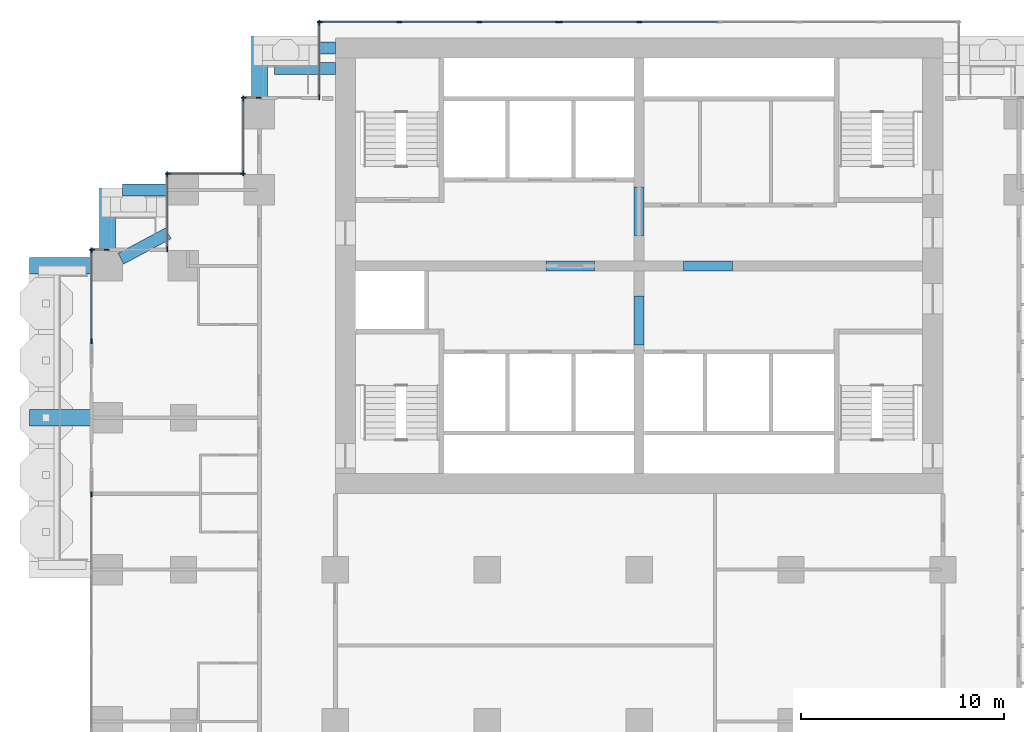
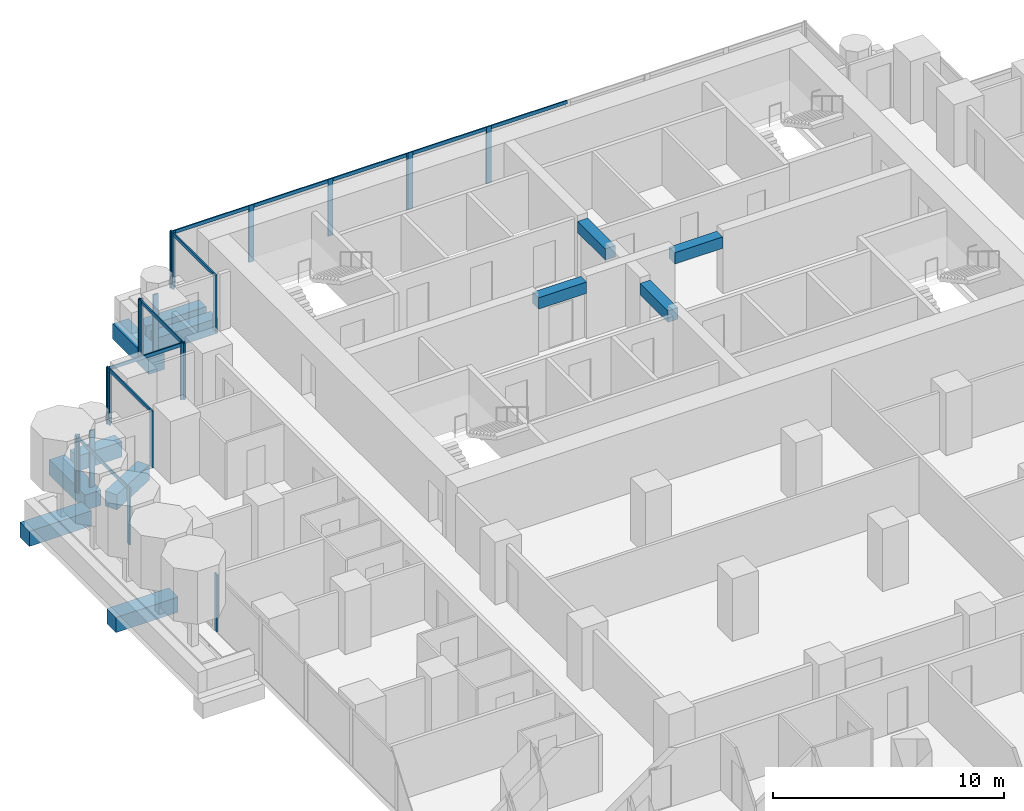
# One storey, part 5 of 18: 31 members, 12 beams, 10 elements without a shape of their own.
"""IFC4 building model written with IfcOpenShell, lengths in metres."""

from ifc_helpers import new_model, si_unit, direction, frame, origin, origin_2d, place, context, subcontext, project, spatial, rectangle, extrude, material, material_profile, profile_set, type_object, element, aggregate, save


model = new_model("IFC4")

# Units and contexts
model_context = context("Model", 3, precision=1e-05, world=origin(), true_north=direction((0.0, 1.0)))
body_context = subcontext(model_context, "Body", "Model", "MODEL_VIEW")
ifc_project = project(units=[si_unit("LENGTHUNIT", "METRE"), si_unit("AREAUNIT", "SQUARE_METRE"), si_unit("VOLUMEUNIT", "CUBIC_METRE"), si_unit("PLANEANGLEUNIT", "RADIAN"), si_unit("MASSUNIT", "GRAM", prefix="KILO")], contexts=[model_context])

# Site, building, storey
site_placement = place(None, origin())
site = spatial("IfcSite", under=ifc_project, at=site_placement, CompositionType="ELEMENT")
building_placement = place(site_placement, origin())
building = spatial("IfcBuilding", under=site, at=building_placement, Name="Pilkhan Gate Tower", CompositionType="ELEMENT")
storey_placement = place(building_placement, frame((0.0, 0.0, 82.39990234375)))
storey = spatial("IfcBuildingStorey", under=building, at=storey_placement, Name="L19", CompositionType="ELEMENT", Elevation=82.39990234375)

# Beams
ifc_material_1 = material(Name="Concrete C50/60", Category="concrete")
ifc_material_profile_1 = material_profile(ifc_material_1, rectangle(XDim=0.60009765625, YDim=0.800048828125, at=origin_2d()), Name="RC 600x800")
ifc_profile_set_1 = profile_set([ifc_material_profile_1], Name="Concrete C50/60")
beam_type_1 = type_object("IfcBeamType", Name="Cantilever beam CB1 RC 600x800 C50/60", PredefinedType="BEAM", material=ifc_profile_set_1)
for number, where, z_axis, x_axis, name in (
    (1, (60.0, 93.25, -0.699951171875), (-1.0, 0.0, 0.0), (0.0, -1.0, 0.0), "Balcony beam NW.2 L19"),
    (2, (60.0, 92.25, -0.699951171875), (-1.0, 0.0, 0.0), (0.0, -1.0, 0.0), "Balcony beam NW.3 L19"),
):
    element("IfcBeam", number, at=place(storey_placement, frame(where, z_axis=z_axis, x_axis=x_axis)), inside=storey, type_object=beam_type_1, Name=name, PredefinedType="BEAM", context=body_context, shape_type="SweptSolid", body=[
        extrude(rectangle(XDim=0.60009765625, YDim=0.800048828125, at=origin_2d()), origin(), (0.0, 0.0, 1.0), 3.0),
    ])
beam_1_placement = place(storey_placement, frame((51.75, 86.25, -0.699951171875), z_axis=(-1.0, 0.0, 0.0), x_axis=(0.0, -1.0, 0.0)))
element("IfcBeam", 3, at=beam_1_placement, inside=storey, type_object=beam_type_1, Name="Balcony beam NW2.2 L19", PredefinedType="BEAM", context=body_context, shape_type="SweptSolid", body=[
    extrude(rectangle(XDim=0.60009765625, YDim=0.800048828125, at=origin_2d()), origin(), (0.0, 0.0, 1.0), 2.25),
])
beam_2_placement = place(storey_placement, frame((49.411865234375, 82.85302734375, -0.699951171875), z_axis=(0.882342739565, 0.470607362817, 0.0), x_axis=(-0.470607362817, 0.882342739565, 0.0)))
element("IfcBeam", 4, at=beam_2_placement, inside=storey, type_object=beam_type_1, Name="Balcony beam NW2.3 L19", PredefinedType="BEAM", context=body_context, shape_type="SweptSolid", body=[
    extrude(rectangle(XDim=0.60009765625, YDim=0.800048828125, at=origin_2d()), origin(), (0.0, 0.0, 1.0), 2.64990234375),
])
ifc_material_profile_2 = material_profile(ifc_material_1, rectangle(XDim=0.800048828125, YDim=0.800048828125, at=origin_2d()), Name="RC 800x800")
ifc_profile_set_2 = profile_set([ifc_material_profile_2], Name="Concrete C50/60")
beam_type_2 = type_object("IfcBeamType", Name="Cantilever beam CB2 RC 800x800 C50/60", PredefinedType="BEAM", material=ifc_profile_set_2)
for number, where, z_axis, x_axis, name in (
    (5, (56.25, 90.75, -0.699951171875), (0.0, 1.0, 0.0), (-1.0, 0.0, 0.0), "Balcony beam NW.1 L19"),
    (6, (48.75, 83.25, -0.699951171875), (0.0, 1.0, 0.0), (-1.0, 0.0, 0.0), "Balcony beam NW2.1 L19"),
    (7, (48.0, 75.0, -0.699951171875), (-1.0, 0.0, 0.0), (0.0, -1.0, 0.0), "Balcony beam W.2 L19"),
    (8, (48.0, 82.5, -0.699951171875), (-1.0, 0.0, 0.0), (0.0, -1.0, 0.0), "Balcony beam W.3 L19"),
):
    element("IfcBeam", number, at=place(storey_placement, frame(where, z_axis=z_axis, x_axis=x_axis)), inside=storey, type_object=beam_type_2, Name=name, PredefinedType="BEAM", context=body_context, shape_type="SweptSolid", body=[
        extrude(rectangle(XDim=0.800048828125, YDim=0.800048828125, at=origin_2d()), origin(), (0.0, 0.0, 1.0), 3.10009765625),
    ])
ifc_material_2 = material(Name="Concrete C70/85", Category="concrete")
ifc_material_profile_3 = material_profile(ifc_material_2, rectangle(XDim=0.5, YDim=0.60009765625, at=origin_2d()), Name="RC 500x600")
ifc_profile_set_3 = profile_set([ifc_material_profile_3], Name="Concrete C70/85")
beam_type_3 = type_object("IfcBeamType", Name="Coupling beam CB60 RC 500x600 C70/85", PredefinedType="LINTEL", material=ifc_profile_set_3)
for number, where, z_axis, x_axis, name in (
    (9, (70.39990234375, 82.5, 2.7001953125), (1.0, 0.0, 0.0), (0.0, 1.0, 0.0), "Coupling beam 1 L19"),
    (10, (77.199951171875, 82.5, 2.7001953125), (1.0, 0.0, 0.0), (0.0, 1.0, 0.0), "Coupling beam 2 L19"),
):
    element("IfcBeam", number, at=place(storey_placement, frame(where, z_axis=z_axis, x_axis=x_axis)), inside=storey, type_object=beam_type_3, Name=name, PredefinedType="LINTEL", context=body_context, shape_type="SweptSolid", body=[
        extrude(rectangle(XDim=0.5, YDim=0.60009765625, at=origin_2d()), origin(), (0.0, 0.0, 1.0), 2.400146484375),
    ])
for number, where, z_axis, x_axis, name in (
    (11, (75.0, 78.60009765625, 2.7001953125), (0.0, 1.0, 0.0), (-1.0, 0.0, 0.0), "Coupling beam 3 L19"),
    (12, (75.0, 84.0, 2.7001953125), (0.0, 1.0, 0.0), (-1.0, 0.0, 0.0), "Coupling beam 4 L19"),
):
    element("IfcBeam", number, at=place(storey_placement, frame(where, z_axis=z_axis, x_axis=x_axis)), inside=storey, type_object=beam_type_3, Name=name, PredefinedType="LINTEL", context=body_context, shape_type="SweptSolid", body=[
        extrude(rectangle(XDim=0.5, YDim=0.60009765625, at=origin_2d()), origin(), (0.0, 0.0, 1.0), 2.39990234375),
    ])

# Curtain wall, members
ifc_material_3 = material(Name="Pale anodised aluminium, clear low-iron double glazing", Category="aluminium")
curtain_wall_type = type_object("IfcCurtainWallType", Name="Hotel unitised curtain wall CW-H", PredefinedType="USERDEFINED", material=ifc_material_3)
curtain_wall_1_placement = place(storey_placement, origin())
curtain_wall_1 = element("IfcCurtainWall", 13, at=curtain_wall_1_placement, inside=storey, type_object=curtain_wall_type, Name="Hotel unitised curtain wall CW-H L19 N", ObjectType="UNITISED CURTAIN WALL", PredefinedType="USERDEFINED")
ifc_material_4 = material(Name="Pale anodised aluminium", Category="aluminium")
ifc_material_profile_4 = material_profile(ifc_material_4, rectangle(XDim=0.06494140625, YDim=0.25, at=origin_2d()), Name="Mullion 250x65")
ifc_profile_set_4 = profile_set([ifc_material_profile_4], Name="Pale anodised aluminium")
member_type_1 = type_object("IfcMemberType", Name="Mullion CW-H 250x65", PredefinedType="MULLION", material=ifc_profile_set_4)
member_1_placement = place(storey_placement, frame((59.237548828125, 94.544921875, 0.0), z_axis=(0.0, 0.0, 1.0), x_axis=(0.0, 1.0, 0.0)))
member_1 = element("IfcMember", 14, at=member_1_placement, type_object=member_type_1, Name="CW-H mullion 1", PredefinedType="MULLION", context=body_context, shape_type="SweptSolid", body=[
    extrude(rectangle(XDim=0.06494140625, YDim=0.25, at=origin_2d()), origin(), (0.0, 0.0, 1.0), 3.0),
])
member_2_placement = place(storey_placement, frame((63.15380859375, 94.544921875, 0.0), z_axis=(0.0, 0.0, 1.0), x_axis=(0.0, 1.0, 0.0)))
member_2 = element("IfcMember", 15, at=member_2_placement, type_object=member_type_1, Name="CW-H mullion 2", PredefinedType="MULLION", context=body_context, shape_type="SweptSolid", body=[
    extrude(rectangle(XDim=0.06494140625, YDim=0.25, at=origin_2d()), origin(), (0.0, 0.0, 1.0), 3.0),
])
member_3_placement = place(storey_placement, frame((67.1025390625, 94.544921875, 0.0), z_axis=(0.0, 0.0, 1.0), x_axis=(0.0, 1.0, 0.0)))
member_3 = element("IfcMember", 16, at=member_3_placement, type_object=member_type_1, Name="CW-H mullion 3", PredefinedType="MULLION", context=body_context, shape_type="SweptSolid", body=[
    extrude(rectangle(XDim=0.06494140625, YDim=0.25, at=origin_2d()), origin(), (0.0, 0.0, 1.0), 3.0),
])
member_4_placement = place(storey_placement, frame((71.018798828125, 94.544921875, 0.0), z_axis=(0.0, 0.0, 1.0), x_axis=(0.0, 1.0, 0.0)))
member_4 = element("IfcMember", 17, at=member_4_placement, type_object=member_type_1, Name="CW-H mullion 4", PredefinedType="MULLION", context=body_context, shape_type="SweptSolid", body=[
    extrude(rectangle(XDim=0.06494140625, YDim=0.25, at=origin_2d()), origin(), (0.0, 0.0, 1.0), 3.0),
])

curtain_wall_2_placement = place(storey_placement, origin())
curtain_wall_2 = element("IfcCurtainWall", 18, at=curtain_wall_2_placement, inside=storey, type_object=curtain_wall_type, Name="Hotel unitised curtain wall CW-H L19 N", ObjectType="UNITISED CURTAIN WALL", PredefinedType="USERDEFINED")
member_5_placement = place(storey_placement, frame((71.083740234375, 94.544921875, 0.0), z_axis=(0.0, 0.0, 1.0), x_axis=(0.0, 1.0, 0.0)))
member_5 = element("IfcMember", 19, at=member_5_placement, type_object=member_type_1, Name="CW-H mullion 1", PredefinedType="MULLION", context=body_context, shape_type="SweptSolid", body=[
    extrude(rectangle(XDim=0.06494140625, YDim=0.25, at=origin_2d()), origin(), (0.0, 0.0, 1.0), 3.0),
])
member_6_placement = place(storey_placement, frame((75.0, 94.544921875, 0.0), z_axis=(0.0, 0.0, 1.0), x_axis=(0.0, 1.0, 0.0)))
member_6 = element("IfcMember", 20, at=member_6_placement, type_object=member_type_1, Name="CW-H mullion 2", PredefinedType="MULLION", context=body_context, shape_type="SweptSolid", body=[
    extrude(rectangle(XDim=0.06494140625, YDim=0.25, at=origin_2d()), origin(), (0.0, 0.0, 1.0), 3.0),
])

curtain_wall_3_placement = place(storey_placement, origin())
curtain_wall_3 = element("IfcCurtainWall", 21, at=curtain_wall_3_placement, inside=storey, type_object=curtain_wall_type, Name="Hotel unitised curtain wall CW-H L19 W", ObjectType="UNITISED CURTAIN WALL", PredefinedType="USERDEFINED")
member_7_placement = place(storey_placement, frame((59.205078125, 90.827392578125, 0.0), z_axis=(0.0, 0.0, 1.0), x_axis=(-1.0, 0.0, 0.0)))
member_7 = element("IfcMember", 22, at=member_7_placement, type_object=member_type_1, Name="CW-H mullion 1", PredefinedType="MULLION", context=body_context, shape_type="SweptSolid", body=[
    extrude(rectangle(XDim=0.06494140625, YDim=0.25, at=origin_2d()), origin(), (0.0, 0.0, 1.0), 3.0),
])
member_8_placement = place(storey_placement, frame((59.205078125, 94.512451171875, 0.0), z_axis=(0.0, 0.0, 1.0), x_axis=(-1.0, 0.0, 0.0)))
member_8 = element("IfcMember", 23, at=member_8_placement, type_object=member_type_1, Name="CW-H mullion 2", PredefinedType="MULLION", context=body_context, shape_type="SweptSolid", body=[
    extrude(rectangle(XDim=0.06494140625, YDim=0.25, at=origin_2d()), origin(), (0.0, 0.0, 1.0), 3.0),
])

curtain_wall_4_placement = place(storey_placement, origin())
curtain_wall_4 = element("IfcCurtainWall", 24, at=curtain_wall_4_placement, inside=storey, type_object=curtain_wall_type, Name="Hotel unitised curtain wall CW-H L19 N", ObjectType="UNITISED CURTAIN WALL", PredefinedType="USERDEFINED")
member_9_placement = place(storey_placement, frame((55.487548828125, 90.794921875, 0.0), z_axis=(0.0, 0.0, 1.0), x_axis=(0.0, 1.0, 0.0)))
member_9 = element("IfcMember", 25, at=member_9_placement, type_object=member_type_1, Name="CW-H mullion 1", PredefinedType="MULLION", context=body_context, shape_type="SweptSolid", body=[
    extrude(rectangle(XDim=0.06494140625, YDim=0.25, at=origin_2d()), origin(), (0.0, 0.0, 1.0), 3.0),
])
member_10_placement = place(storey_placement, frame((56.217529296875, 90.794921875, 0.0), z_axis=(0.0, 0.0, 1.0), x_axis=(0.0, 1.0, 0.0)))
member_10 = element("IfcMember", 26, at=member_10_placement, type_object=member_type_1, Name="CW-H mullion 2", PredefinedType="MULLION", context=body_context, shape_type="SweptSolid", body=[
    extrude(rectangle(XDim=0.06494140625, YDim=0.25, at=origin_2d()), origin(), (0.0, 0.0, 1.0), 3.0),
])
aggregate(curtain_wall_4, [member_9, member_10])

curtain_wall_5_placement = place(storey_placement, origin())
curtain_wall_5 = element("IfcCurtainWall", 27, at=curtain_wall_5_placement, inside=storey, type_object=curtain_wall_type, Name="Hotel unitised curtain wall CW-H L19 W", ObjectType="UNITISED CURTAIN WALL", PredefinedType="USERDEFINED")
member_11_placement = place(storey_placement, frame((55.455078125, 87.077392578125, 0.0), z_axis=(0.0, 0.0, 1.0), x_axis=(-1.0, 0.0, 0.0)))
member_11 = element("IfcMember", 28, at=member_11_placement, type_object=member_type_1, Name="CW-H mullion 1", PredefinedType="MULLION", context=body_context, shape_type="SweptSolid", body=[
    extrude(rectangle(XDim=0.06494140625, YDim=0.25, at=origin_2d()), origin(), (0.0, 0.0, 1.0), 3.0),
])
member_12_placement = place(storey_placement, frame((55.455078125, 90.762451171875, 0.0), z_axis=(0.0, 0.0, 1.0), x_axis=(-1.0, 0.0, 0.0)))
member_12 = element("IfcMember", 29, at=member_12_placement, type_object=member_type_1, Name="CW-H mullion 2", PredefinedType="MULLION", context=body_context, shape_type="SweptSolid", body=[
    extrude(rectangle(XDim=0.06494140625, YDim=0.25, at=origin_2d()), origin(), (0.0, 0.0, 1.0), 3.0),
])

curtain_wall_6_placement = place(storey_placement, origin())
curtain_wall_6 = element("IfcCurtainWall", 30, at=curtain_wall_6_placement, inside=storey, type_object=curtain_wall_type, Name="Hotel unitised curtain wall CW-H L19 N", ObjectType="UNITISED CURTAIN WALL", PredefinedType="USERDEFINED")
member_13_placement = place(storey_placement, frame((51.737548828125, 87.044921875, 0.0), z_axis=(0.0, 0.0, 1.0), x_axis=(0.0, 1.0, 0.0)))
member_13 = element("IfcMember", 31, at=member_13_placement, type_object=member_type_1, Name="CW-H mullion 1", PredefinedType="MULLION", context=body_context, shape_type="SweptSolid", body=[
    extrude(rectangle(XDim=0.06494140625, YDim=0.25, at=origin_2d()), origin(), (0.0, 0.0, 1.0), 3.0),
])
member_14_placement = place(storey_placement, frame((55.422607421875, 87.044921875, 0.0), z_axis=(0.0, 0.0, 1.0), x_axis=(0.0, 1.0, 0.0)))
member_14 = element("IfcMember", 32, at=member_14_placement, type_object=member_type_1, Name="CW-H mullion 2", PredefinedType="MULLION", context=body_context, shape_type="SweptSolid", body=[
    extrude(rectangle(XDim=0.06494140625, YDim=0.25, at=origin_2d()), origin(), (0.0, 0.0, 1.0), 3.0),
])

curtain_wall_7_placement = place(storey_placement, origin())
curtain_wall_7 = element("IfcCurtainWall", 33, at=curtain_wall_7_placement, inside=storey, type_object=curtain_wall_type, Name="Hotel unitised curtain wall CW-H L19 W", ObjectType="UNITISED CURTAIN WALL", PredefinedType="USERDEFINED")
member_15_placement = place(storey_placement, frame((51.705078125, 83.327392578125, 0.0), z_axis=(0.0, 0.0, 1.0), x_axis=(-1.0, 0.0, 0.0)))
member_15 = element("IfcMember", 34, at=member_15_placement, type_object=member_type_1, Name="CW-H mullion 1", PredefinedType="MULLION", context=body_context, shape_type="SweptSolid", body=[
    extrude(rectangle(XDim=0.06494140625, YDim=0.25, at=origin_2d()), origin(), (0.0, 0.0, 1.0), 3.0),
])
member_16_placement = place(storey_placement, frame((51.705078125, 87.012451171875, 0.0), z_axis=(0.0, 0.0, 1.0), x_axis=(-1.0, 0.0, 0.0)))
member_16 = element("IfcMember", 35, at=member_16_placement, type_object=member_type_1, Name="CW-H mullion 2", PredefinedType="MULLION", context=body_context, shape_type="SweptSolid", body=[
    extrude(rectangle(XDim=0.06494140625, YDim=0.25, at=origin_2d()), origin(), (0.0, 0.0, 1.0), 3.0),
])

curtain_wall_8_placement = place(storey_placement, origin())
curtain_wall_8 = element("IfcCurtainWall", 36, at=curtain_wall_8_placement, inside=storey, type_object=curtain_wall_type, Name="Hotel unitised curtain wall CW-H L19 N", ObjectType="UNITISED CURTAIN WALL", PredefinedType="USERDEFINED")
member_17_placement = place(storey_placement, frame((47.987548828125, 83.294921875, 0.0), z_axis=(0.0, 0.0, 1.0), x_axis=(0.0, 1.0, 0.0)))
member_17 = element("IfcMember", 37, at=member_17_placement, type_object=member_type_1, Name="CW-H mullion 1", PredefinedType="MULLION", context=body_context, shape_type="SweptSolid", body=[
    extrude(rectangle(XDim=0.06494140625, YDim=0.25, at=origin_2d()), origin(), (0.0, 0.0, 1.0), 3.0),
])
member_18_placement = place(storey_placement, frame((48.717529296875, 83.294921875, 0.0), z_axis=(0.0, 0.0, 1.0), x_axis=(0.0, 1.0, 0.0)))
member_18 = element("IfcMember", 38, at=member_18_placement, type_object=member_type_1, Name="CW-H mullion 2", PredefinedType="MULLION", context=body_context, shape_type="SweptSolid", body=[
    extrude(rectangle(XDim=0.06494140625, YDim=0.25, at=origin_2d()), origin(), (0.0, 0.0, 1.0), 3.0),
])
aggregate(curtain_wall_8, [member_17, member_18])

# Curtain wall, member
curtain_wall_9_placement = place(storey_placement, origin())
curtain_wall_9 = element("IfcCurtainWall", 39, at=curtain_wall_9_placement, inside=storey, type_object=curtain_wall_type, Name="Hotel unitised curtain wall CW-H L19 W", ObjectType="UNITISED CURTAIN WALL", PredefinedType="USERDEFINED")
member_19_placement = place(storey_placement, frame((47.955078125, 71.217529296875, 0.0), z_axis=(0.0, 0.0, 1.0), x_axis=(-1.0, 0.0, 0.0)))
member_19 = element("IfcMember", 40, at=member_19_placement, type_object=member_type_1, Name="CW-H mullion 3", PredefinedType="MULLION", context=body_context, shape_type="SweptSolid", body=[
    extrude(rectangle(XDim=0.06494140625, YDim=0.25, at=origin_2d()), origin(), (0.0, 0.0, 1.0), 3.0),
])
aggregate(curtain_wall_9, [member_19])

# Curtain wall, members
curtain_wall_10_placement = place(storey_placement, origin())
curtain_wall_10 = element("IfcCurtainWall", 41, at=curtain_wall_10_placement, inside=storey, type_object=curtain_wall_type, Name="Hotel unitised curtain wall CW-H L19 W", ObjectType="UNITISED CURTAIN WALL", PredefinedType="USERDEFINED")
member_20_placement = place(storey_placement, frame((47.955078125, 78.782470703125, 0.0), z_axis=(0.0, 0.0, 1.0), x_axis=(-1.0, 0.0, 0.0)))
member_20 = element("IfcMember", 42, at=member_20_placement, type_object=member_type_1, Name="CW-H mullion 1", PredefinedType="MULLION", context=body_context, shape_type="SweptSolid", body=[
    extrude(rectangle(XDim=0.06494140625, YDim=0.25, at=origin_2d()), origin(), (0.0, 0.0, 1.0), 3.0),
])
member_21_placement = place(storey_placement, frame((47.955078125, 83.262451171875, 0.0), z_axis=(0.0, 0.0, 1.0), x_axis=(-1.0, 0.0, 0.0)))
member_21 = element("IfcMember", 43, at=member_21_placement, type_object=member_type_1, Name="CW-H mullion 2", PredefinedType="MULLION", context=body_context, shape_type="SweptSolid", body=[
    extrude(rectangle(XDim=0.06494140625, YDim=0.25, at=origin_2d()), origin(), (0.0, 0.0, 1.0), 3.0),
])

# Member
ifc_material_profile_5 = material_profile(ifc_material_4, rectangle(XDim=0.06494140625, YDim=0.179931640625, at=origin_2d()), Name="Transom 180x65")
ifc_profile_set_5 = profile_set([ifc_material_profile_5], Name="Pale anodised aluminium")
member_type_2 = type_object("IfcMemberType", Name="Transom CW-H 180x65", PredefinedType="USERDEFINED", material=ifc_profile_set_5)
member_22_placement = place(storey_placement, frame((59.27001953125, 94.544921875, 2.91015625), z_axis=(1.0, 0.0, 0.0), x_axis=(0.0, 1.0, 0.0)))
member_22 = element("IfcMember", 44, at=member_22_placement, type_object=member_type_2, Name="CW-H transom 1", ObjectType="TRANSOM", PredefinedType="USERDEFINED", context=body_context, shape_type="SweptSolid", body=[
    extrude(rectangle(XDim=0.06494140625, YDim=0.179931640625, at=origin_2d()), origin(), (0.0, 0.0, 1.0), 3.851318359375),
])

member_23_placement = place(storey_placement, frame((63.186279296875, 94.544921875, 2.91015625), z_axis=(1.0, 0.0, 0.0), x_axis=(0.0, 1.0, 0.0)))
member_23 = element("IfcMember", 45, at=member_23_placement, type_object=member_type_2, Name="CW-H transom 2", ObjectType="TRANSOM", PredefinedType="USERDEFINED", context=body_context, shape_type="SweptSolid", body=[
    extrude(rectangle(XDim=0.06494140625, YDim=0.179931640625, at=origin_2d()), origin(), (0.0, 0.0, 1.0), 3.8837890625),
])

member_24_placement = place(storey_placement, frame((67.135009765625, 94.544921875, 2.91015625), z_axis=(1.0, 0.0, 0.0), x_axis=(0.0, 1.0, 0.0)))
member_24 = element("IfcMember", 46, at=member_24_placement, type_object=member_type_2, Name="CW-H transom 3", ObjectType="TRANSOM", PredefinedType="USERDEFINED", context=body_context, shape_type="SweptSolid", body=[
    extrude(rectangle(XDim=0.06494140625, YDim=0.179931640625, at=origin_2d()), origin(), (0.0, 0.0, 1.0), 3.851318359375),
])

aggregate(curtain_wall_1, [member_1, member_2, member_3, member_4, member_22, member_23, member_24])

member_25_placement = place(storey_placement, frame((71.1162109375, 94.544921875, 2.91015625), z_axis=(1.0, 0.0, 0.0), x_axis=(0.0, 1.0, 0.0)))
member_25 = element("IfcMember", 47, at=member_25_placement, type_object=member_type_2, Name="CW-H transom 1", ObjectType="TRANSOM", PredefinedType="USERDEFINED", context=body_context, shape_type="SweptSolid", body=[
    extrude(rectangle(XDim=0.06494140625, YDim=0.179931640625, at=origin_2d()), origin(), (0.0, 0.0, 1.0), 3.851318359375),
])

member_26_placement = place(storey_placement, frame((75.032470703125, 94.544921875, 2.91015625), z_axis=(1.0, 0.0, 0.0), x_axis=(0.0, 1.0, 0.0)))
member_26 = element("IfcMember", 48, at=member_26_placement, type_object=member_type_2, Name="CW-H transom 2", ObjectType="TRANSOM", PredefinedType="USERDEFINED", context=body_context, shape_type="SweptSolid", body=[
    extrude(rectangle(XDim=0.06494140625, YDim=0.179931640625, at=origin_2d()), origin(), (0.0, 0.0, 1.0), 3.8837890625),
])

aggregate(curtain_wall_2, [member_5, member_6, member_25, member_26])

member_27_placement = place(storey_placement, frame((59.205078125, 90.860107421875, 2.91015625), z_axis=(0.0, 1.0, 0.0), x_axis=(-1.0, 0.0, 0.0)))
member_27 = element("IfcMember", 49, at=member_27_placement, type_object=member_type_2, Name="CW-H transom 1", ObjectType="TRANSOM", PredefinedType="USERDEFINED", context=body_context, shape_type="SweptSolid", body=[
    extrude(rectangle(XDim=0.06494140625, YDim=0.179931640625, at=origin_2d()), origin(), (0.0, 0.0, 1.0), 3.619873046875),
])

aggregate(curtain_wall_3, [member_7, member_8, member_27])

member_28_placement = place(storey_placement, frame((55.455078125, 87.110107421875, 2.91015625), z_axis=(0.0, 1.0, 0.0), x_axis=(-1.0, 0.0, 0.0)))
member_28 = element("IfcMember", 50, at=member_28_placement, type_object=member_type_2, Name="CW-H transom 1", ObjectType="TRANSOM", PredefinedType="USERDEFINED", context=body_context, shape_type="SweptSolid", body=[
    extrude(rectangle(XDim=0.06494140625, YDim=0.179931640625, at=origin_2d()), origin(), (0.0, 0.0, 1.0), 3.619873046875),
])

aggregate(curtain_wall_5, [member_11, member_12, member_28])

member_29_placement = place(storey_placement, frame((51.77001953125, 87.044921875, 2.91015625), z_axis=(1.0, 0.0, 0.0), x_axis=(0.0, 1.0, 0.0)))
member_29 = element("IfcMember", 51, at=member_29_placement, type_object=member_type_2, Name="CW-H transom 1", ObjectType="TRANSOM", PredefinedType="USERDEFINED", context=body_context, shape_type="SweptSolid", body=[
    extrude(rectangle(XDim=0.06494140625, YDim=0.179931640625, at=origin_2d()), origin(), (0.0, 0.0, 1.0), 3.619873046875),
])

aggregate(curtain_wall_6, [member_13, member_14, member_29])

member_30_placement = place(storey_placement, frame((51.705078125, 83.360107421875, 2.91015625), z_axis=(0.0, 1.0, 0.0), x_axis=(-1.0, 0.0, 0.0)))
member_30 = element("IfcMember", 52, at=member_30_placement, type_object=member_type_2, Name="CW-H transom 1", ObjectType="TRANSOM", PredefinedType="USERDEFINED", context=body_context, shape_type="SweptSolid", body=[
    extrude(rectangle(XDim=0.06494140625, YDim=0.179931640625, at=origin_2d()), origin(), (0.0, 0.0, 1.0), 3.619873046875),
])

aggregate(curtain_wall_7, [member_15, member_16, member_30])

member_31_placement = place(storey_placement, frame((47.955078125, 78.81494140625, 2.91015625), z_axis=(0.0, 1.0, 0.0), x_axis=(-1.0, 0.0, 0.0)))
member_31 = element("IfcMember", 53, at=member_31_placement, type_object=member_type_2, Name="CW-H transom 1", ObjectType="TRANSOM", PredefinedType="USERDEFINED", context=body_context, shape_type="SweptSolid", body=[
    extrude(rectangle(XDim=0.06494140625, YDim=0.179931640625, at=origin_2d()), origin(), (0.0, 0.0, 1.0), 4.4150390625),
])

aggregate(curtain_wall_10, [member_20, member_21, member_31])

save(model, "model.ifc")
